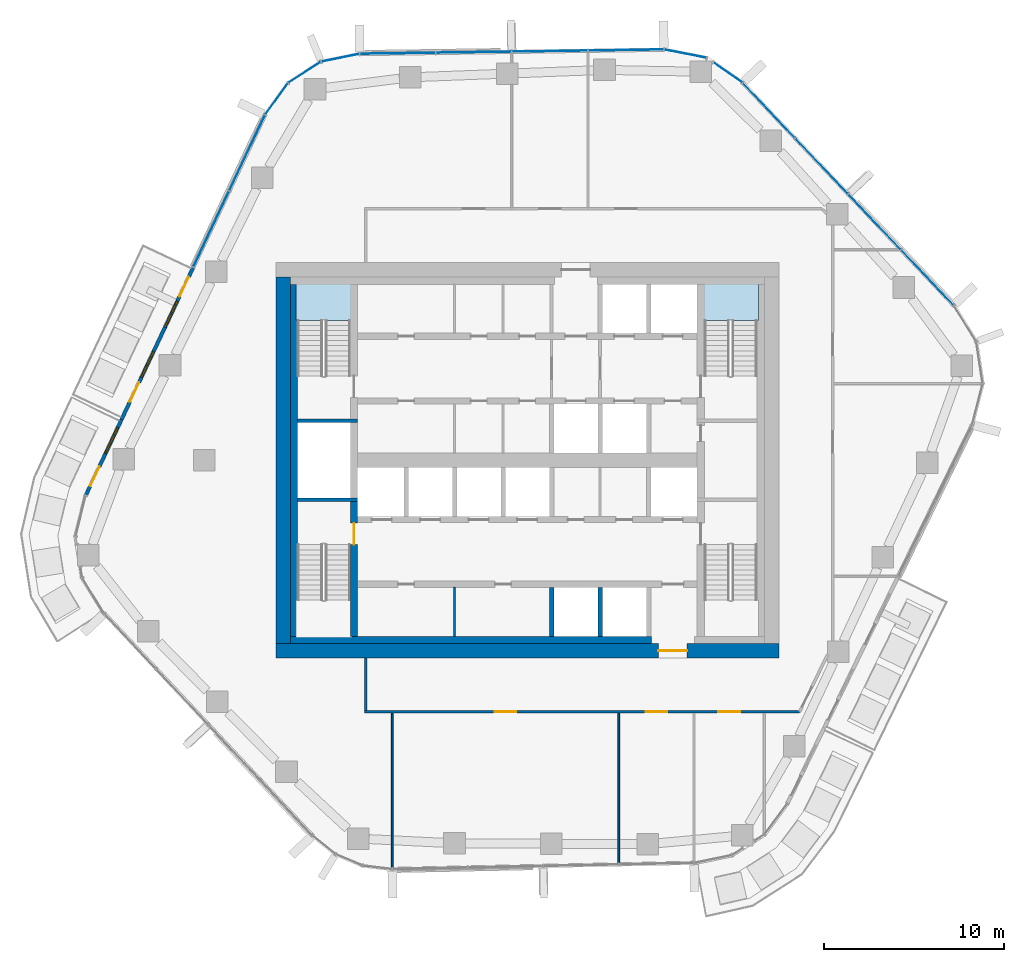
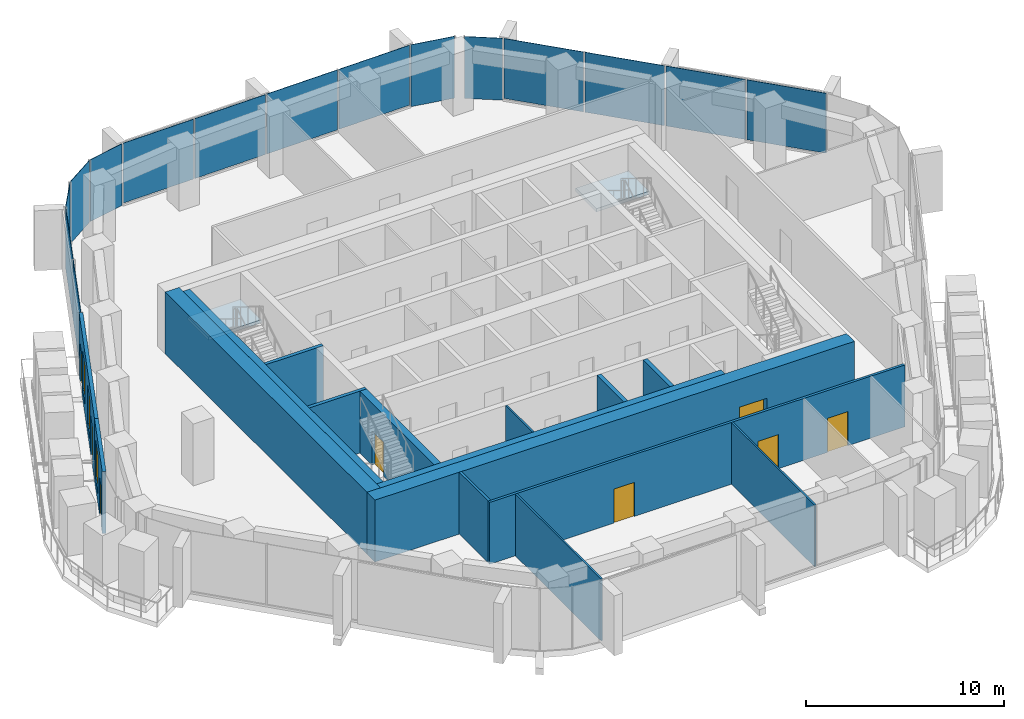
# One storey, part 11 of 18: 16 walls, 15 plates, 8 doors, 3 windows, 2 slabs, 11 openings, 8 elements without a shape of their own.
"""IFC4 building model written with IfcOpenShell, lengths in metres."""

from ifc_helpers import new_model, si_unit, direction, frame, frame_2d, origin, origin_2d, place, context, subcontext, project, spatial, polyline, rectangle, outline, extrude, material, layer, layer_set, type_object, element, fill, aggregate, save


model = new_model("IFC4")

# Units and contexts
model_context = context("Model", 3, precision=1e-05, world=origin(), true_north=direction((0.0, 1.0)))
body_context = subcontext(model_context, "Body", "Model", "MODEL_VIEW")
ifc_project = project(units=[si_unit("LENGTHUNIT", "METRE"), si_unit("AREAUNIT", "SQUARE_METRE"), si_unit("VOLUMEUNIT", "CUBIC_METRE"), si_unit("PLANEANGLEUNIT", "RADIAN"), si_unit("MASSUNIT", "GRAM", prefix="KILO")], contexts=[model_context])

# Site, building, storey
site_placement = place(None, origin())
site = spatial("IfcSite", under=ifc_project, at=site_placement, CompositionType="ELEMENT")
building_placement = place(site_placement, origin())
building = spatial("IfcBuilding", under=site, at=building_placement, Name="Dongbaek Canopy Tower", CompositionType="ELEMENT")
storey_placement = place(building_placement, frame((0.0, 0.0, 162.800048828125)))
storey = spatial("IfcBuildingStorey", under=building, at=storey_placement, Name="L35", CompositionType="ELEMENT", Elevation=162.800048828125)

# Curtain wall, plates
ifc_material_1 = material(Name="Aluminium 6063-T6 pale anodised", Category="aluminium")
ifc_layer_1 = layer(ifc_material_1, 0.199951171875)
ifc_layer_set_1 = layer_set([ifc_layer_1], Name="CW-1 unitised tower curtain wall")
curtain_wall_type = type_object("IfcCurtainWallType", Name="CW-1 unitised tower curtain wall", PredefinedType="NOTDEFINED", material=ifc_layer_set_1)
curtain_wall_1_placement = place(storey_placement, origin())
curtain_wall_1 = element("IfcCurtainWall", 1, at=curtain_wall_1_placement, inside=storey, type_object=curtain_wall_type, Name="CW-1 curtain wall F0.1", PredefinedType="NOTDEFINED")
ifc_material_2 = material(Name="Clear laminated glass", Category="glass")
ifc_layer_2 = layer(ifc_material_2, 0.028076171875)
ifc_layer_set_2 = layer_set([ifc_layer_2], Name="CW-1 glazed panel 28")
plate_type = type_object("IfcPlateType", Name="CW-1 glazed panel 28", PredefinedType="CURTAIN_PANEL", material=ifc_layer_set_2)
plate_1_placement = place(storey_placement, frame((22.27099609375, 10.17724609375, 0.1201171875), z_axis=(0.0, 0.0, 1.0), x_axis=(-0.688042693519, 0.725670208769, 0.0)))
plate_1 = element("IfcPlate", 2, at=plate_1_placement, type_object=plate_type, Name="CW-1 panel F0.1.1.1", PredefinedType="CURTAIN_PANEL", context=body_context, shape_type="SweptSolid", body=[
    extrude(rectangle(XDim=4.180419921875, YDim=0.028076171875, at=origin_2d()), origin(), (0.0, 0.0, 1.0), 3.699951171875),
])
plate_2_placement = place(storey_placement, frame((19.33349609375, 13.275390625, 0.1201171875), z_axis=(0.0, 0.0, 1.0), x_axis=(-0.688042693519, 0.725670208769, 0.0)))
plate_2 = element("IfcPlate", 3, at=plate_2_placement, type_object=plate_type, Name="CW-1 panel F0.1.2.1", PredefinedType="CURTAIN_PANEL", context=body_context, shape_type="SweptSolid", body=[
    extrude(rectangle(XDim=4.1904296875, YDim=0.028076171875, at=origin_2d()), origin(), (0.0, 0.0, 1.0), 3.699951171875),
])
plate_3_placement = place(storey_placement, frame((16.392333984375, 16.37744140625, 0.1201171875), z_axis=(0.0, 0.0, 1.0), x_axis=(-0.688042693519, 0.725670208769, 0.0)))
plate_3 = element("IfcPlate", 4, at=plate_3_placement, type_object=plate_type, Name="CW-1 panel F0.1.3.1", PredefinedType="CURTAIN_PANEL", context=body_context, shape_type="SweptSolid", body=[
    extrude(rectangle(XDim=4.1904296875, YDim=0.028076171875, at=origin_2d()), origin(), (0.0, 0.0, 1.0), 3.699951171875),
])
plate_4_placement = place(storey_placement, frame((13.454833984375, 19.475341796875, 0.1201171875), z_axis=(0.0, 0.0, 1.0), x_axis=(-0.688042693519, 0.725670208769, 0.0)))
plate_4 = element("IfcPlate", 5, at=plate_4_placement, type_object=plate_type, Name="CW-1 panel F0.1.4.1", PredefinedType="CURTAIN_PANEL", context=body_context, shape_type="SweptSolid", body=[
    extrude(rectangle(XDim=4.18017578125, YDim=0.028076171875, at=origin_2d()), origin(), (0.0, 0.0, 1.0), 3.699951171875),
])
aggregate(curtain_wall_1, [plate_1, plate_2, plate_3, plate_4])

# Curtain wall, plate
curtain_wall_2_placement = place(storey_placement, origin())
curtain_wall_2 = element("IfcCurtainWall", 6, at=curtain_wall_2_placement, inside=storey, type_object=curtain_wall_type, Name="CW-1 curtain wall K1.1a", PredefinedType="NOTDEFINED")
plate_5_placement = place(storey_placement, frame((11.1640625, 21.593017578125, 0.0), z_axis=(0.0, 0.0, 1.0), x_axis=(-0.822253738836, 0.569121067059, 0.0)))
plate_5 = element("IfcPlate", 7, at=plate_5_placement, type_object=plate_type, Name="CW-1 panel K1.1a.1.1", PredefinedType="CURTAIN_PANEL", context=body_context, shape_type="SweptSolid", body=[
    extrude(rectangle(XDim=1.920166015625, YDim=0.028076171875, at=origin_2d()), origin(), (0.0, 0.0, 1.0), 3.820068359375),
])
aggregate(curtain_wall_2, [plate_5])

curtain_wall_3_placement = place(storey_placement, origin())
curtain_wall_3 = element("IfcCurtainWall", 8, at=curtain_wall_3_placement, inside=storey, type_object=curtain_wall_type, Name="CW-1 curtain wall K1.1b", PredefinedType="NOTDEFINED")
plate_6_placement = place(storey_placement, frame((8.79736328125, 22.6376953125, 0.0), z_axis=(0.0, 0.0, 1.0), x_axis=(-0.981568479338, 0.1911107542, 0.0)))
plate_6 = element("IfcPlate", 9, at=plate_6_placement, type_object=plate_type, Name="CW-1 panel K1.1b.1.1", PredefinedType="CURTAIN_PANEL", context=body_context, shape_type="SweptSolid", body=[
    extrude(rectangle(XDim=2.345947265625, YDim=0.028076171875, at=origin_2d()), origin(), (0.0, 0.0, 1.0), 3.820068359375),
])
aggregate(curtain_wall_3, [plate_6])

# Curtain wall, plates
curtain_wall_4_placement = place(storey_placement, origin())
curtain_wall_4 = element("IfcCurtainWall", 10, at=curtain_wall_4_placement, inside=storey, type_object=curtain_wall_type, Name="CW-1 curtain wall F1.1", PredefinedType="NOTDEFINED")
plate_7_placement = place(storey_placement, frame((5.489990234375, 22.83984375, 0.1201171875), z_axis=(0.0, 0.0, 1.0), x_axis=(-0.999898073754, -0.014277328293, 0.0)))
plate_7 = element("IfcPlate", 11, at=plate_7_placement, type_object=plate_type, Name="CW-1 panel F1.1.1.1", PredefinedType="CURTAIN_PANEL", context=body_context, shape_type="SweptSolid", body=[
    extrude(rectangle(XDim=4.14599609375, YDim=0.028076171875, at=origin_2d()), origin(), (0.0, 0.0, 1.0), 3.699951171875),
])
plate_8_placement = place(storey_placement, frame((1.25537109375, 22.779296875, 0.1201171875), z_axis=(0.0, 0.0, 1.0), x_axis=(-0.999898073754, -0.014277328293, 0.0)))
plate_8 = element("IfcPlate", 12, at=plate_8_placement, type_object=plate_type, Name="CW-1 panel F1.1.2.1", PredefinedType="CURTAIN_PANEL", context=body_context, shape_type="SweptSolid", body=[
    extrude(rectangle(XDim=4.15625, YDim=0.028076171875, at=origin_2d()), origin(), (0.0, 0.0, 1.0), 3.699951171875),
])
plate_9_placement = place(storey_placement, frame((-2.984375, 22.71875, 0.1201171875), z_axis=(0.0, 0.0, 1.0), x_axis=(-0.999898073754, -0.014277328293, 0.0)))
plate_9 = element("IfcPlate", 13, at=plate_9_placement, type_object=plate_type, Name="CW-1 panel F1.1.3.1", PredefinedType="CURTAIN_PANEL", context=body_context, shape_type="SweptSolid", body=[
    extrude(rectangle(XDim=4.15625, YDim=0.028076171875, at=origin_2d()), origin(), (0.0, 0.0, 1.0), 3.699951171875),
])
plate_10_placement = place(storey_placement, frame((-7.219482421875, 22.658203125, 0.1201171875), z_axis=(0.0, 0.0, 1.0), x_axis=(-0.999898073754, -0.014277328293, 0.0)))
plate_10 = element("IfcPlate", 14, at=plate_10_placement, type_object=plate_type, Name="CW-1 panel F1.1.4.1", PredefinedType="CURTAIN_PANEL", context=body_context, shape_type="SweptSolid", body=[
    extrude(rectangle(XDim=4.14697265625, YDim=0.028076171875, at=origin_2d()), origin(), (0.0, 0.0, 1.0), 3.699951171875),
])
aggregate(curtain_wall_4, [plate_7, plate_8, plate_9, plate_10])

curtain_wall_5_placement = place(storey_placement, origin())
curtain_wall_5 = element("IfcCurtainWall", 15, at=curtain_wall_5_placement, inside=storey, type_object=curtain_wall_type, Name="CW-1 curtain wall K2.1", PredefinedType="NOTDEFINED")
plate_11_placement = place(storey_placement, frame((-10.40869140625, 22.41015625, 0.0), z_axis=(0.0, 0.0, 1.0), x_axis=(-0.980003955076, -0.198978008926, 0.0)))
plate_11 = element("IfcPlate", 16, at=plate_11_placement, type_object=plate_type, Name="CW-1 panel K2.1.1.1", PredefinedType="CURTAIN_PANEL", context=body_context, shape_type="SweptSolid", body=[
    extrude(rectangle(XDim=2.107421875, YDim=0.028076171875, at=origin_2d()), origin(), (0.0, 0.0, 1.0), 3.820068359375),
])
plate_12_placement = place(storey_placement, frame((-12.3994140625, 21.60107421875, 0.0), z_axis=(0.0, 0.0, 1.0), x_axis=(-0.840609245459, -0.541642037188, 0.0)))
plate_12 = element("IfcPlate", 17, at=plate_12_placement, type_object=plate_type, Name="CW-1 panel K2.1.2.1", PredefinedType="CURTAIN_PANEL", context=body_context, shape_type="SweptSolid", body=[
    extrude(rectangle(XDim=2.097900390625, YDim=0.028076171875, at=origin_2d()), origin(), (0.0, 0.0, 1.0), 3.820068359375),
])
plate_13_placement = place(storey_placement, frame((-13.958984375, 20.12255859375, 0.0), z_axis=(0.0, 0.0, 1.0), x_axis=(-0.586177562972, -0.810182611927, 0.0)))
plate_13 = element("IfcPlate", 18, at=plate_13_placement, type_object=plate_type, Name="CW-1 panel K2.1.3.1", PredefinedType="CURTAIN_PANEL", context=body_context, shape_type="SweptSolid", body=[
    extrude(rectangle(XDim=2.107421875, YDim=0.028076171875, at=origin_2d()), origin(), (0.0, 0.0, 1.0), 3.820068359375),
])
aggregate(curtain_wall_5, [plate_11, plate_12, plate_13])

curtain_wall_6_placement = place(storey_placement, origin())
curtain_wall_6 = element("IfcCurtainWall", 19, at=curtain_wall_6_placement, inside=storey, type_object=curtain_wall_type, Name="CW-1 curtain wall F2.1", PredefinedType="NOTDEFINED")
plate_14_placement = place(storey_placement, frame((-15.5986328125, 17.117431640625, 0.1201171875), z_axis=(0.0, 0.0, 1.0), x_axis=(-0.426206887126, -0.904625717834, 0.0)))
plate_14 = element("IfcPlate", 20, at=plate_14_placement, type_object=plate_type, Name="CW-1 panel F2.1.1.1", PredefinedType="CURTAIN_PANEL", context=body_context, shape_type="SweptSolid", body=[
    extrude(rectangle(XDim=4.596923828125, YDim=0.028076171875, at=origin_2d()), origin(), (0.0, 0.0, 1.0), 3.699951171875),
])
plate_15_placement = place(storey_placement, frame((-17.595703125, 12.878662109375, 0.1201171875), z_axis=(0.0, 0.0, 1.0), x_axis=(-0.426206887126, -0.904625717834, 0.0)))
plate_15 = element("IfcPlate", 21, at=plate_15_placement, type_object=plate_type, Name="CW-1 panel F2.1.2.1", PredefinedType="CURTAIN_PANEL", context=body_context, shape_type="SweptSolid", body=[
    extrude(rectangle(XDim=4.606201171875, YDim=0.028076171875, at=origin_2d()), origin(), (0.0, 0.0, 1.0), 3.699951171875),
])
aggregate(curtain_wall_6, [plate_14, plate_15])

# Stair, slab
ifc_material_3 = material(Name="Concrete C40/50", Category="concrete")
stair_type = type_object("IfcStairType", Name="Core exit stair", PredefinedType="HALF_TURN_STAIR", material=ifc_material_3)
stair_1_placement = place(storey_placement, origin())
stair_1 = element("IfcStair", 22, at=stair_1_placement, inside=storey, type_object=stair_type, Name="L35 exit stair A", PredefinedType="HALF_TURN_STAIR")
ifc_material_4 = material(Name="Concrete C40/50", Category="concrete")
ifc_layer_3 = layer(ifc_material_4, 0.199951171875)
ifc_layer_set_3 = layer_set([ifc_layer_3], Name="Core stair landing 200")
slab_type = type_object("IfcSlabType", Name="Core stair landing 200", PredefinedType="LANDING", material=ifc_layer_set_3)
slab_1_placement = place(storey_placement, frame((0.0, 0.0, 1.89990234375)))
slab_1 = element("IfcSlab", 23, at=slab_1_placement, type_object=slab_type, Name="ST-A landing 1", PredefinedType="LANDING", context=body_context, shape_type="SweptSolid", body=[
    extrude(outline(polyline([(12.875, 7.780029296875), (12.875, 9.875), (9.77490234375, 9.875), (9.77490234375, 7.780029296875), (12.875, 7.780029296875)])), origin(), (0.0, 0.0, 1.0), 0.199951171875),
])
aggregate(stair_1, [slab_1])

stair_2_placement = place(storey_placement, origin())
stair_2 = element("IfcStair", 24, at=stair_2_placement, inside=storey, type_object=stair_type, Name="L35 exit stair C", PredefinedType="HALF_TURN_STAIR")
slab_2_placement = place(storey_placement, frame((0.0, 0.0, 1.89990234375)))
slab_2 = element("IfcSlab", 25, at=slab_2_placement, type_object=slab_type, Name="ST-C landing 1", PredefinedType="LANDING", context=body_context, shape_type="SweptSolid", body=[
    extrude(outline(polyline([(-9.77490234375, 7.780029296875), (-9.77490234375, 9.875), (-12.875, 9.875), (-12.875, 7.780029296875), (-9.77490234375, 7.780029296875)])), origin(), (0.0, 0.0, 1.0), 0.199951171875),
])
aggregate(stair_2, [slab_2])

# Wall, opening, door
ifc_material_5 = material(Name="Concrete C70/85", Category="concrete")
ifc_layer_4 = layer(ifc_material_5, 0.800048828125)
ifc_layer_set_4 = layer_set([ifc_layer_4], Name="Core outer wall 800 Concrete C70/85")
wall_type_1 = type_object("IfcWallType", Name="Core outer wall 800 Concrete C70/85", PredefinedType="SHEAR", material=ifc_layer_set_4)
wall_1_placement = place(storey_placement, frame((14.0, -10.60009765625, 0.0), z_axis=(0.0, 0.0, 1.0), x_axis=(-1.0, 0.0, 0.0)))
wall_1 = element("IfcWall", 26, at=wall_1_placement, inside=storey, type_object=wall_type_1, Name="Core wall", PredefinedType="SHEAR", context=body_context, shape_type="SweptSolid", body=[
    extrude(rectangle(XDim=28.0, YDim=0.800048828125, at=frame_2d((14.0, 0.0))), origin(), (0.0, 0.0, 1.0), 3.820068359375),
])
opening_1_placement = place(wall_1_placement, frame((5.10009765625, 0.0, 0.0)))
opening_1 = element("IfcOpeningElement", 27, at=opening_1_placement, cuts=wall_1, Name="Opening L35-D023", PredefinedType="OPENING", context=body_context, shape_type="SweptSolid", body=[
    extrude(rectangle(XDim=1.60009765625, YDim=2.10009765625, at=frame_2d((0.800048828125, 1.050048828125))), frame((0.0, 0.409912109375, 0.0), z_axis=(0.0, -1.0, 0.0), x_axis=(1.0, 0.0, 0.0)), (0.0, 0.0, 1.0), 0.820068359375),
])
ifc_material_6 = material(Name="Steel", Category="steel")
door_type_1 = type_object("IfcDoorType", Name="Core exit door 1600 x 2100", OperationType="DOUBLE_DOOR_SINGLE_SWING", PredefinedType="DOOR", material=ifc_material_6)
door_1_placement = place(opening_1_placement, origin())
door_1 = element("IfcDoor", 28, at=door_1_placement, inside=storey, type_object=door_type_1, Name="Core exit door", OperationType="DOUBLE_DOOR_SINGLE_SWING", OverallHeight=2.10009765625, OverallWidth=1.60009765625, PredefinedType="DOOR", context=body_context, shape_type="SweptSolid", body=[
    extrude(rectangle(XDim=1.60009765625, YDim=2.10009765625, at=frame_2d((0.800048828125, 1.050048828125))), frame((0.0, 0.02490234375, 0.0), z_axis=(0.0, -1.0, 0.0), x_axis=(1.0, 0.0, 0.0)), (0.0, 0.0, 1.0), 0.050048828125),
])
fill(opening_1, door_1)

# Walls
wall_2_placement = place(storey_placement, frame((-13.60009765625, -10.199951171875, 0.0), z_axis=(0.0, 0.0, 1.0), x_axis=(0.0, 1.0, 0.0)))
element("IfcWall", 29, at=wall_2_placement, inside=storey, type_object=wall_type_1, Name="Core wall", PredefinedType="SHEAR", context=body_context, shape_type="SweptSolid", body=[
    extrude(rectangle(XDim=20.39990234375, YDim=0.800048828125, at=frame_2d((10.199951171875, 0.0))), origin(), (0.0, 0.0, 1.0), 3.820068359375),
])
ifc_material_7 = material(Name="Concrete C60/75", Category="concrete")
ifc_layer_5 = layer(ifc_material_7, 0.39990234375)
ifc_layer_set_5 = layer_set([ifc_layer_5], Name="Core wall lining 400 Concrete C60/75")
wall_type_2 = type_object("IfcWallType", Name="Core wall lining 400 Concrete C60/75", PredefinedType="SHEAR", material=ifc_layer_set_5)
wall_3_placement = place(storey_placement, frame((6.89990234375, -10.0, 0.0), z_axis=(0.0, 0.0, 1.0), x_axis=(-1.0, 0.0, 0.0)))
element("IfcWall", 30, at=wall_3_placement, inside=storey, type_object=wall_type_2, Name="Core wall lining", PredefinedType="SHEAR", context=body_context, shape_type="SweptSolid", body=[
    extrude(rectangle(XDim=20.099853515625, YDim=0.39990234375, at=frame_2d((10.0498046875, 0.0))), origin(), (0.0, 0.0, 1.0), 3.820068359375),
])
wall_4_placement = place(storey_placement, frame((-13.0, -9.800048828125, 0.0), z_axis=(0.0, 0.0, 1.0), x_axis=(0.0, 1.0, 0.0)))
element("IfcWall", 31, at=wall_4_placement, inside=storey, type_object=wall_type_2, Name="Core wall lining", PredefinedType="SHEAR", context=body_context, shape_type="SweptSolid", body=[
    extrude(rectangle(XDim=19.60009765625, YDim=0.39990234375, at=frame_2d((9.800048828125, 0.0))), origin(), (0.0, 0.0, 1.0), 3.820068359375),
])

# Wall, openings, doors
ifc_material_8 = material(Name="Gypsum board partition, steel stud, 2 x 15 mm fire board", Category="steel")
ifc_layer_6 = layer(ifc_material_8, 0.14990234375)
ifc_layer_set_6 = layer_set([ifc_layer_6], Name="Fire-rated partition 150 gypsum board")
wall_type_3 = type_object("IfcWallType", Name="Fire-rated partition 150 gypsum board", PredefinedType="PARTITIONING", material=ifc_layer_set_6)
wall_5_placement = place(storey_placement, frame((15.164794921875, -14.0, 0.0), z_axis=(0.0, 0.0, 1.0), x_axis=(-1.0, 0.0, 0.0)))
wall_5 = element("IfcWall", 32, at=wall_5_placement, inside=storey, type_object=wall_type_3, Name="Corridor partition", PredefinedType="PARTITIONING", context=body_context, shape_type="SweptSolid", body=[
    extrude(rectangle(XDim=24.23974609375, YDim=0.14990234375, at=frame_2d((12.119873046875, 0.0))), origin(), (0.0, 0.0, 1.0), 3.820068359375),
])
opening_2_placement = place(wall_5_placement, frame((15.7880859375, 0.0, 0.0)))
opening_2 = element("IfcOpeningElement", 33, at=opening_2_placement, cuts=wall_5, Name="Opening L35-D001", PredefinedType="OPENING", context=body_context, shape_type="SweptSolid", body=[
    extrude(rectangle(XDim=1.199951171875, YDim=2.10009765625, at=frame_2d((0.60009765625, 1.050048828125))), frame((0.0, 0.0849609375, 0.0), z_axis=(0.0, -1.0, 0.0), x_axis=(1.0, 0.0, 0.0)), (0.0, 0.0, 1.0), 0.169921875),
])
opening_3_placement = place(wall_5_placement, frame((7.37939453125, 0.0, 0.0)))
opening_3 = element("IfcOpeningElement", 34, at=opening_3_placement, cuts=wall_5, Name="Opening L35-D002", PredefinedType="OPENING", context=body_context, shape_type="SweptSolid", body=[
    extrude(rectangle(XDim=1.199951171875, YDim=2.10009765625, at=frame_2d((0.60009765625, 1.050048828125))), frame((0.0, 0.0849609375, 0.0), z_axis=(0.0, -1.0, 0.0), x_axis=(1.0, 0.0, 0.0)), (0.0, 0.0, 1.0), 0.169921875),
])
opening_4_placement = place(wall_5_placement, frame((3.323486328125, 0.0, 0.0)))
opening_4 = element("IfcOpeningElement", 35, at=opening_4_placement, cuts=wall_5, Name="Opening L35-D003", PredefinedType="OPENING", context=body_context, shape_type="SweptSolid", body=[
    extrude(rectangle(XDim=1.199951171875, YDim=2.10009765625, at=frame_2d((0.60009765625, 1.050048828125))), frame((0.0, 0.0849609375, 0.0), z_axis=(0.0, -1.0, 0.0), x_axis=(1.0, 0.0, 0.0)), (0.0, 0.0, 1.0), 0.169921875),
])
ifc_material_9 = material(Name="Timber veneered door leaf", Category="wood")
door_type_2 = type_object("IfcDoorType", Name="Room door 1200 x 2100", OperationType="SINGLE_SWING_LEFT", PredefinedType="DOOR", material=ifc_material_9)
door_2_placement = place(opening_2_placement, origin())
door_2 = element("IfcDoor", 36, at=door_2_placement, inside=storey, type_object=door_type_2, Name="Door L35-D001", OperationType="SINGLE_SWING_RIGHT", OverallHeight=2.10009765625, OverallWidth=1.199951171875, PredefinedType="DOOR", context=body_context, shape_type="SweptSolid", body=[
    extrude(rectangle(XDim=1.199951171875, YDim=2.10009765625, at=frame_2d((0.60009765625, 1.050048828125))), frame((0.0, 0.02490234375, 0.0), z_axis=(0.0, -1.0, 0.0), x_axis=(1.0, 0.0, 0.0)), (0.0, 0.0, 1.0), 0.050048828125),
])
fill(opening_2, door_2)
door_3_placement = place(opening_3_placement, origin())
door_3 = element("IfcDoor", 37, at=door_3_placement, inside=storey, type_object=door_type_2, Name="Door L35-D002", OperationType="SINGLE_SWING_LEFT", OverallHeight=2.10009765625, OverallWidth=1.199951171875, PredefinedType="DOOR", context=body_context, shape_type="SweptSolid", body=[
    extrude(rectangle(XDim=1.199951171875, YDim=2.10009765625, at=frame_2d((0.60009765625, 1.050048828125))), frame((0.0, 0.02490234375, 0.0), z_axis=(0.0, -1.0, 0.0), x_axis=(1.0, 0.0, 0.0)), (0.0, 0.0, 1.0), 0.050048828125),
])
fill(opening_3, door_3)
door_4_placement = place(opening_4_placement, origin())
door_4 = element("IfcDoor", 38, at=door_4_placement, inside=storey, type_object=door_type_2, Name="Door L35-D003", OperationType="SINGLE_SWING_RIGHT", OverallHeight=2.10009765625, OverallWidth=1.199951171875, PredefinedType="DOOR", context=body_context, shape_type="SweptSolid", body=[
    extrude(rectangle(XDim=1.199951171875, YDim=2.10009765625, at=frame_2d((0.60009765625, 1.050048828125))), frame((0.0, 0.02490234375, 0.0), z_axis=(0.0, -1.0, 0.0), x_axis=(1.0, 0.0, 0.0)), (0.0, 0.0, 1.0), 0.050048828125),
])
fill(opening_4, door_4)

# Walls
wall_6_placement = place(storey_placement, frame((-9.0, -13.925048828125, 0.0), z_axis=(0.0, 0.0, 1.0), x_axis=(0.0, 1.0, 0.0)))
element("IfcWall", 39, at=wall_6_placement, inside=storey, type_object=wall_type_3, Name="Corridor partition", PredefinedType="PARTITIONING", context=body_context, shape_type="SweptSolid", body=[
    extrude(rectangle(XDim=2.925048828125, YDim=0.14990234375, at=frame_2d((1.46240234375, 0.0))), origin(), (0.0, 0.0, 1.0), 3.820068359375),
])
ifc_material_10 = material(Name="Concrete C40/50", Category="concrete")
ifc_layer_7 = layer(ifc_material_10, 0.25)
ifc_layer_set_7 = layer_set([ifc_layer_7], Name="Lift shaft wall 250 Concrete C40/50")
wall_type_4 = type_object("IfcWallType", Name="Lift shaft wall 250 Concrete C40/50", PredefinedType="SOLIDWALL", material=ifc_layer_set_7)
for number, where, z_axis, x_axis, name in (
    (40, (4.050048828125, -9.800048828125, 0.0), (0.0, 0.0, 1.0), (0.0, 1.0, 0.0), "Lift shaft wall"),
    (41, (1.35009765625, -9.800048828125, 0.0), (0.0, 0.0, 1.0), (0.0, 1.0, 0.0), "Lift shaft wall"),
):
    element("IfcWall", number, at=place(storey_placement, frame(where, z_axis=z_axis, x_axis=x_axis)), inside=storey, type_object=wall_type_4, Name=name, PredefinedType="SOLIDWALL", context=body_context, shape_type="SweptSolid", body=[
        extrude(rectangle(XDim=2.72509765625, YDim=0.25, at=frame_2d((1.362548828125, 0.0))), origin(), (0.0, 0.0, 1.0), 3.820068359375),
    ])
ifc_material_11 = material(Name="Gypsum board partition, steel stud, 2 x 12.5 mm board", Category="steel")
ifc_layer_8 = layer(ifc_material_11, 0.10009765625)
ifc_layer_set_8 = layer_set([ifc_layer_8], Name="Partition 100 gypsum board")
wall_type_5 = type_object("IfcWallType", Name="Partition 100 gypsum board", PredefinedType="PARTITIONING", material=ifc_layer_set_8)
wall_7_placement = place(storey_placement, frame((5.0869140625, -22.484619140625, 0.0), z_axis=(0.0, 0.0, 1.0), x_axis=(0.0, 1.0, 0.0)))
element("IfcWall", 42, at=wall_7_placement, inside=storey, type_object=wall_type_5, Name="Partition", PredefinedType="PARTITIONING", context=body_context, shape_type="SweptSolid", body=[
    extrude(rectangle(XDim=8.40966796875, YDim=0.10009765625, at=frame_2d((4.204833984375, 0.0))), origin(), (0.0, 0.0, 1.0), 3.820068359375),
])
wall_8_placement = place(storey_placement, frame((-7.52587890625, -22.7431640625, 0.0), z_axis=(0.0, 0.0, 1.0), x_axis=(0.0, 1.0, 0.0)))
element("IfcWall", 43, at=wall_8_placement, inside=storey, type_object=wall_type_5, Name="Partition", PredefinedType="PARTITIONING", context=body_context, shape_type="SweptSolid", body=[
    extrude(rectangle(XDim=8.668212890625, YDim=0.10009765625, at=frame_2d((4.333984375, 0.0))), origin(), (0.0, 0.0, 1.0), 3.820068359375),
])
wall_9_placement = place(storey_placement, frame((-4.050048828125, -9.800048828125, 0.0), z_axis=(0.0, 0.0, 1.0), x_axis=(0.0, 1.0, 0.0)))
element("IfcWall", 44, at=wall_9_placement, inside=storey, type_object=wall_type_5, Name="Core partition", PredefinedType="PARTITIONING", context=body_context, shape_type="SweptSolid", body=[
    extrude(rectangle(XDim=2.72509765625, YDim=0.10009765625, at=frame_2d((1.362548828125, 0.0))), origin(), (0.0, 0.0, 1.0), 3.820068359375),
])
ifc_material_12 = material(Name="Concrete C60/75", Category="concrete")
ifc_layer_9 = layer(ifc_material_12, 0.199951171875)
ifc_layer_set_9 = layer_set([ifc_layer_9], Name="Riser wall 200 Concrete C60/75")
wall_type_6 = type_object("IfcWallType", Name="Riser wall 200 Concrete C60/75", PredefinedType="SHEAR", material=ifc_layer_set_9)
for number, where, z_axis, x_axis, name in (
    (45, (-9.449951171875, 2.199951171875, 0.0), (0.0, 0.0, 1.0), (-1.0, 0.0, 0.0), "Riser wall"),
    (46, (-9.449951171875, -2.199951171875, 0.0), (0.0, 0.0, 1.0), (-1.0, 0.0, 0.0), "Riser wall"),
):
    element("IfcWall", number, at=place(storey_placement, frame(where, z_axis=z_axis, x_axis=x_axis)), inside=storey, type_object=wall_type_6, Name=name, PredefinedType="SHEAR", context=body_context, shape_type="SweptSolid", body=[
        extrude(rectangle(XDim=3.35009765625, YDim=0.199951171875, at=frame_2d((1.675048828125, 0.0))), origin(), (0.0, 0.0, 1.0), 3.820068359375),
    ])

# Wall, opening, door
ifc_material_13 = material(Name="Concrete C60/75", Category="concrete")
ifc_layer_10 = layer(ifc_material_13, 0.39990234375)
ifc_layer_set_10 = layer_set([ifc_layer_10], Name="Stair wall 400 Concrete C60/75")
wall_type_7 = type_object("IfcWallType", Name="Stair wall 400 Concrete C60/75", PredefinedType="SHEAR", material=ifc_layer_set_10)
wall_10_placement = place(storey_placement, frame((-9.64990234375, -9.800048828125, 0.0), z_axis=(0.0, 0.0, 1.0), x_axis=(0.0, 1.0, 0.0)))
wall_10 = element("IfcWall", 47, at=wall_10_placement, inside=storey, type_object=wall_type_7, Name="Stair wall", PredefinedType="SHEAR", context=body_context, shape_type="SweptSolid", body=[
    extrude(rectangle(XDim=7.5, YDim=0.39990234375, at=frame_2d((3.75, 0.0))), origin(), (0.0, 0.0, 1.0), 3.820068359375),
])
opening_5_placement = place(wall_10_placement, frame((5.10009765625, 0.0, 0.0)))
opening_5 = element("IfcOpeningElement", 48, at=opening_5_placement, cuts=wall_10, Name="Opening L35-D038", PredefinedType="OPENING", context=body_context, shape_type="SweptSolid", body=[
    extrude(rectangle(XDim=1.199951171875, YDim=2.10009765625, at=frame_2d((0.60009765625, 1.050048828125))), frame((0.0, 0.2099609375, 0.0), z_axis=(0.0, -1.0, 0.0), x_axis=(1.0, 0.0, 0.0)), (0.0, 0.0, 1.0), 0.419921875),
])
ifc_material_14 = material(Name="Steel", Category="steel")
door_type_3 = type_object("IfcDoorType", Name="Stair door 1200 x 2100", OperationType="SINGLE_SWING_LEFT", PredefinedType="DOOR", material=ifc_material_14)
door_5_placement = place(opening_5_placement, origin())
door_5 = element("IfcDoor", 49, at=door_5_placement, inside=storey, type_object=door_type_3, Name="Stair D door", OperationType="SINGLE_SWING_LEFT", OverallHeight=2.10009765625, OverallWidth=1.199951171875, PredefinedType="DOOR", context=body_context, shape_type="SweptSolid", body=[
    extrude(rectangle(XDim=1.199951171875, YDim=2.10009765625, at=frame_2d((0.60009765625, 1.050048828125))), frame((0.0, 0.02490234375, 0.0), z_axis=(0.0, -1.0, 0.0), x_axis=(1.0, 0.0, 0.0)), (0.0, 0.0, 1.0), 0.050048828125),
])
fill(opening_5, door_5)

# Wall, openings, doors, windows
ifc_material_15 = material(Name="Aluminium window wall", Category="aluminium")
ifc_layer_11 = layer(ifc_material_15, 0.199951171875)
ifc_layer_set_11 = layer_set([ifc_layer_11], Name="Window wall 200")
wall_type_8 = type_object("IfcWallType", Name="Window wall 200", PredefinedType="SOLIDWALL", material=ifc_layer_set_11)
wall_11_placement = place(storey_placement, frame((-18.59521484375, 10.75732421875, 0.0), z_axis=(0.0, 0.0, 1.0), x_axis=(-0.426198071579, -0.904629871153, 0.0)))
wall_11 = element("IfcWall", 50, at=wall_11_placement, inside=storey, type_object=wall_type_8, Name="Window wall L35 1", PredefinedType="SOLIDWALL", context=body_context, shape_type="SweptSolid", body=[
    extrude(rectangle(XDim=9.380615234375, YDim=0.199951171875, at=frame_2d((4.6904296875, 0.0))), origin(), (0.0, 0.0, 1.0), 3.820068359375),
])
opening_6_placement = place(wall_11_placement, frame((2.10009765625, 0.0, 0.60009765625)))
opening_6 = element("IfcOpeningElement", 51, at=opening_6_placement, cuts=wall_11, Name="Opening W1", PredefinedType="OPENING", context=body_context, shape_type="SweptSolid", body=[
    extrude(rectangle(XDim=1.60009765625, YDim=2.39990234375, at=frame_2d((0.800048828125, 1.199951171875))), frame((0.0, 0.10986328125, 0.0), z_axis=(0.0, -1.0, 0.0), x_axis=(1.0, 0.0, 0.0)), (0.0, 0.0, 1.0), 0.219970703125),
])
opening_7_placement = place(wall_11_placement, frame((0.60009765625, 0.0, 0.0)))
opening_7 = element("IfcOpeningElement", 52, at=opening_7_placement, cuts=wall_11, Name="Opening L35-B01", PredefinedType="OPENING", context=body_context, shape_type="SweptSolid", body=[
    extrude(rectangle(XDim=1.199951171875, YDim=2.39990234375, at=frame_2d((0.60009765625, 1.199951171875))), frame((0.0, 0.10986328125, 0.0), z_axis=(0.0, -1.0, 0.0), x_axis=(1.0, 0.0, 0.0)), (0.0, 0.0, 1.0), 0.219970703125),
])
opening_8_placement = place(wall_11_placement, frame((5.190185546875, 0.0, 0.60009765625)))
opening_8 = element("IfcOpeningElement", 53, at=opening_8_placement, cuts=wall_11, Name="Opening W1", PredefinedType="OPENING", context=body_context, shape_type="SweptSolid", body=[
    extrude(rectangle(XDim=1.60009765625, YDim=2.39990234375, at=frame_2d((0.800048828125, 1.199951171875))), frame((0.0, 0.10986328125, 0.0), z_axis=(0.0, -1.0, 0.0), x_axis=(1.0, 0.0, 0.0)), (0.0, 0.0, 1.0), 0.219970703125),
])
opening_9_placement = place(wall_11_placement, frame((7.09033203125, 0.0, 0.0)))
opening_9 = element("IfcOpeningElement", 54, at=opening_9_placement, cuts=wall_11, Name="Opening L35-B02", PredefinedType="OPENING", context=body_context, shape_type="SweptSolid", body=[
    extrude(rectangle(XDim=1.199951171875, YDim=2.39990234375, at=frame_2d((0.60009765625, 1.199951171875))), frame((0.0, 0.10986328125, 0.0), z_axis=(0.0, -1.0, 0.0), x_axis=(1.0, 0.0, 0.0)), (0.0, 0.0, 1.0), 0.219970703125),
])
ifc_material_16 = material(Name="Clear glazing in aluminium frame", Category="aluminium")
door_type_4 = type_object("IfcDoorType", Name="Balcony door BD1 1200 x 2400", OperationType="SLIDING_TO_LEFT", PredefinedType="DOOR", material=ifc_material_16)
door_6_placement = place(opening_7_placement, origin())
door_6 = element("IfcDoor", 55, at=door_6_placement, inside=storey, type_object=door_type_4, Name="Balcony door L35-B01", OperationType="SLIDING_TO_LEFT", OverallHeight=2.39990234375, OverallWidth=1.199951171875, PredefinedType="DOOR", context=body_context, shape_type="SweptSolid", body=[
    extrude(rectangle(XDim=1.199951171875, YDim=2.39990234375, at=frame_2d((0.60009765625, 1.199951171875))), frame((0.0, 0.02490234375, 0.0), z_axis=(0.0, -1.0, 0.0), x_axis=(1.0, 0.0, 0.0)), (0.0, 0.0, 1.0), 0.050048828125),
])
fill(opening_7, door_6)
door_7_placement = place(opening_9_placement, origin())
door_7 = element("IfcDoor", 56, at=door_7_placement, inside=storey, type_object=door_type_4, Name="Balcony door L35-B02", OperationType="SLIDING_TO_LEFT", OverallHeight=2.39990234375, OverallWidth=1.199951171875, PredefinedType="DOOR", context=body_context, shape_type="SweptSolid", body=[
    extrude(rectangle(XDim=1.199951171875, YDim=2.39990234375, at=frame_2d((0.60009765625, 1.199951171875))), frame((0.0, 0.02490234375, 0.0), z_axis=(0.0, -1.0, 0.0), x_axis=(1.0, 0.0, 0.0)), (0.0, 0.0, 1.0), 0.050048828125),
])
fill(opening_9, door_7)
ifc_material_17 = material(Name="Clear glazing in aluminium frame", Category="aluminium")
window_type = type_object("IfcWindowType", Name="Window W1 1600 x 2400", PartitioningType="SINGLE_PANEL", PredefinedType="WINDOW", material=ifc_material_17)
window_1_placement = place(opening_6_placement, origin())
window_1 = element("IfcWindow", 57, at=window_1_placement, inside=storey, type_object=window_type, Name="Window L35 1.1", OverallHeight=2.39990234375, OverallWidth=1.60009765625, PartitioningType="SINGLE_PANEL", PredefinedType="WINDOW", context=body_context, shape_type="SweptSolid", body=[
    extrude(rectangle(XDim=1.60009765625, YDim=2.39990234375, at=frame_2d((0.800048828125, 1.199951171875))), frame((0.0, 0.030029296875, 0.0), z_axis=(0.0, -1.0, 0.0), x_axis=(1.0, 0.0, 0.0)), (0.0, 0.0, 1.0), 0.06005859375),
])
fill(opening_6, window_1)
window_2_placement = place(opening_8_placement, origin())
window_2 = element("IfcWindow", 58, at=window_2_placement, inside=storey, type_object=window_type, Name="Window L35 1.2", OverallHeight=2.39990234375, OverallWidth=1.60009765625, PartitioningType="SINGLE_PANEL", PredefinedType="WINDOW", context=body_context, shape_type="SweptSolid", body=[
    extrude(rectangle(XDim=1.60009765625, YDim=2.39990234375, at=frame_2d((0.800048828125, 1.199951171875))), frame((0.0, 0.030029296875, 0.0), z_axis=(0.0, -1.0, 0.0), x_axis=(1.0, 0.0, 0.0)), (0.0, 0.0, 1.0), 0.06005859375),
])
fill(opening_8, window_2)

# Wall, openings, door, window
wall_12_placement = place(storey_placement, frame((-22.59326171875, 2.271240234375, 0.0), z_axis=(0.0, 0.0, 1.0), x_axis=(-0.426226560006, -0.904616448859, 0.0)))
wall_12 = element("IfcWall", 59, at=wall_12_placement, inside=storey, type_object=wall_type_8, Name="Window wall L35 3", PredefinedType="SOLIDWALL", context=body_context, shape_type="SweptSolid", body=[
    extrude(rectangle(XDim=4.680419921875, YDim=0.199951171875, at=frame_2d((2.34033203125, 0.0))), origin(), (0.0, 0.0, 1.0), 3.820068359375),
])
opening_10_placement = place(wall_12_placement, frame((0.5, 0.0, 0.60009765625)))
opening_10 = element("IfcOpeningElement", 60, at=opening_10_placement, cuts=wall_12, Name="Opening W1", PredefinedType="OPENING", context=body_context, shape_type="SweptSolid", body=[
    extrude(rectangle(XDim=1.60009765625, YDim=2.39990234375, at=frame_2d((0.800048828125, 1.199951171875))), frame((0.0, 0.10986328125, 0.0), z_axis=(0.0, -1.0, 0.0), x_axis=(1.0, 0.0, 0.0)), (0.0, 0.0, 1.0), 0.219970703125),
])
opening_11_placement = place(wall_12_placement, frame((2.89990234375, 0.0, 0.0)))
opening_11 = element("IfcOpeningElement", 61, at=opening_11_placement, cuts=wall_12, Name="Opening L35-B03", PredefinedType="OPENING", context=body_context, shape_type="SweptSolid", body=[
    extrude(rectangle(XDim=1.199951171875, YDim=2.39990234375, at=frame_2d((0.60009765625, 1.199951171875))), frame((0.0, 0.10986328125, 0.0), z_axis=(0.0, -1.0, 0.0), x_axis=(1.0, 0.0, 0.0)), (0.0, 0.0, 1.0), 0.219970703125),
])
door_8_placement = place(opening_11_placement, origin())
door_8 = element("IfcDoor", 62, at=door_8_placement, inside=storey, type_object=door_type_4, Name="Balcony door L35-B03", OperationType="SLIDING_TO_LEFT", OverallHeight=2.39990234375, OverallWidth=1.199951171875, PredefinedType="DOOR", context=body_context, shape_type="SweptSolid", body=[
    extrude(rectangle(XDim=1.199951171875, YDim=2.39990234375, at=frame_2d((0.60009765625, 1.199951171875))), frame((0.0, 0.02490234375, 0.0), z_axis=(0.0, -1.0, 0.0), x_axis=(1.0, 0.0, 0.0)), (0.0, 0.0, 1.0), 0.050048828125),
])
fill(opening_11, door_8)
window_3_placement = place(opening_10_placement, origin())
window_3 = element("IfcWindow", 63, at=window_3_placement, inside=storey, type_object=window_type, Name="Window L35 3.1", OverallHeight=2.39990234375, OverallWidth=1.60009765625, PartitioningType="SINGLE_PANEL", PredefinedType="WINDOW", context=body_context, shape_type="SweptSolid", body=[
    extrude(rectangle(XDim=1.60009765625, YDim=2.39990234375, at=frame_2d((0.800048828125, 1.199951171875))), frame((0.0, 0.030029296875, 0.0), z_axis=(0.0, -1.0, 0.0), x_axis=(1.0, 0.0, 0.0)), (0.0, 0.0, 1.0), 0.06005859375),
])
fill(opening_10, window_3)

save(model, "model.ifc")
